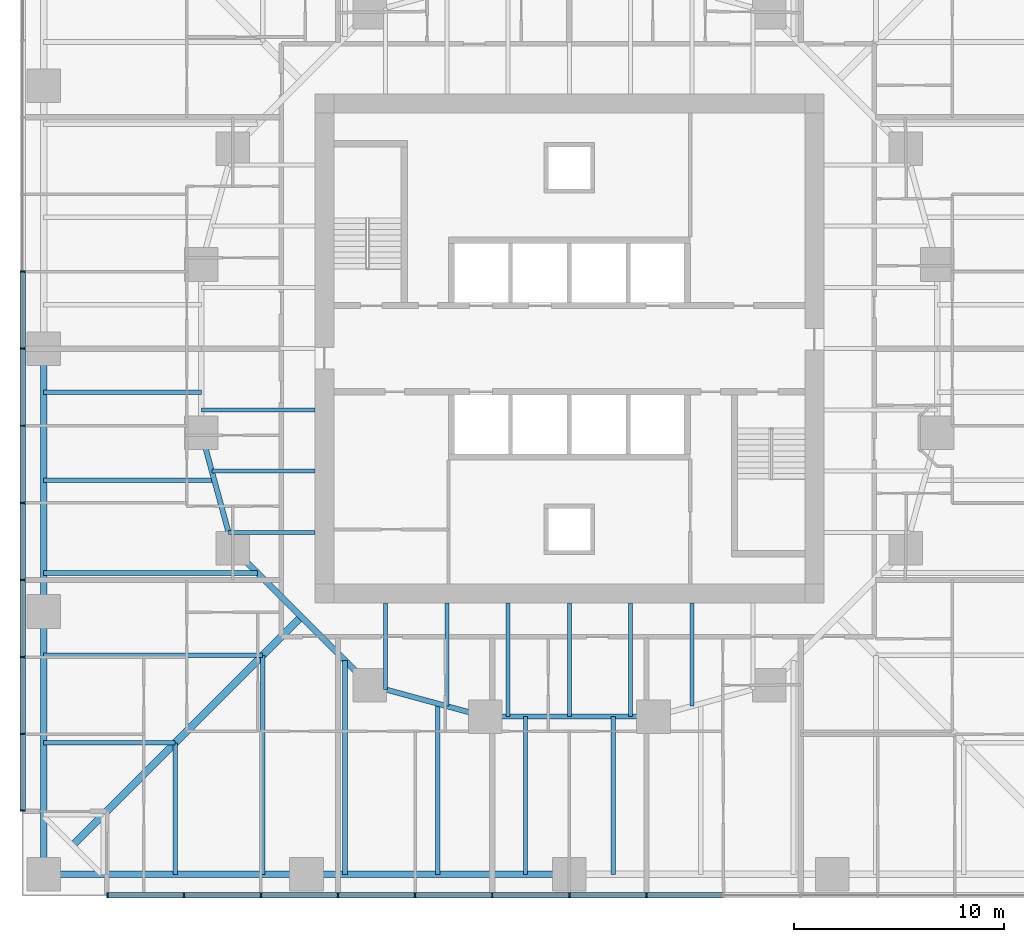
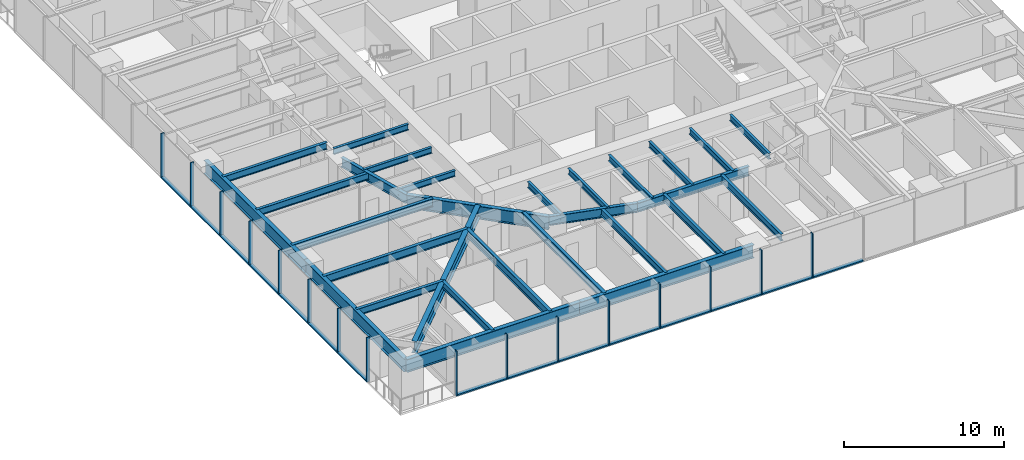
# One storey, part 2 of 16: 31 members, 29 beams, 2 elements without a shape of their own.
"""IFC4 building model written with IfcOpenShell, lengths in metres."""

from ifc_helpers import new_model, si_unit, direction, frame, origin, origin_2d, place, context, subcontext, project, spatial, rectangle, i_section, extrude, material, material_profile, profile_set, type_object, element, aggregate, save


model = new_model("IFC4")

# Units and contexts
model_context = context("Model", 3, precision=1e-05, world=origin(), true_north=direction((0.0, 1.0)))
body_context = subcontext(model_context, "Body", "Model", "MODEL_VIEW")
ifc_project = project(units=[si_unit("LENGTHUNIT", "METRE"), si_unit("AREAUNIT", "SQUARE_METRE"), si_unit("VOLUMEUNIT", "CUBIC_METRE"), si_unit("PLANEANGLEUNIT", "RADIAN"), si_unit("MASSUNIT", "GRAM", prefix="KILO")], contexts=[model_context])

# Site, building, storey
site_placement = place(None, origin())
site = spatial("IfcSite", under=ifc_project, at=site_placement, CompositionType="ELEMENT")
building_placement = place(site_placement, origin())
building = spatial("IfcBuilding", under=site, at=building_placement, Name="Torsade Residences", CompositionType="ELEMENT")
storey_placement = place(building_placement, frame((0.0, 0.0, 35.39990234375)))
storey = spatial("IfcBuildingStorey", under=building, at=storey_placement, Name="L09", CompositionType="ELEMENT", Elevation=35.39990234375)

# Beam
ifc_material_1 = material(Name="Steel grade 300", Category="steel")
ifc_material_profile_1 = material_profile(ifc_material_1, i_section(OverallWidth=0.35009765625, OverallDepth=0.909912109375, WebThickness=0.011962890625, FlangeThickness=0.02490234375, at=origin_2d()), Name="900WB218")
ifc_profile_set_1 = profile_set([ifc_material_profile_1], Name="Steel grade 300")
beam_type_1 = type_object("IfcBeamType", Name="CORNER GIRDER 900WB218", PredefinedType="BEAM", material=ifc_profile_set_1)
beam_1_placement = place(storey_placement, frame((16.375, 6.375, 2.795166015625), z_axis=(0.707106781187, 0.707106781187, 0.0), x_axis=(-0.707106781187, 0.707106781187, 0.0)))
element("IfcBeam", 1, at=beam_1_placement, inside=storey, type_object=beam_type_1, Name="Corner girder 01 L10", PredefinedType="BEAM", context=body_context, shape_type="SweptSolid", body=[
    extrude(i_section(OverallWidth=0.35009765625, OverallDepth=0.909912109375, WebThickness=0.011962890625, FlangeThickness=0.02490234375, at=origin_2d()), origin(), (0.0, 0.0, 1.0), 15.379638671875),
])

# Curtain wall, members
ifc_material_2 = material(Name="Aluminium and glass", Category="aluminium")
curtain_wall_type = type_object("IfcCurtainWallType", Name="FRITTED GLASS CURTAIN WALL LOW ZONE", PredefinedType="NOTDEFINED", material=ifc_material_2)
curtain_wall_1_placement = place(storey_placement, origin())
curtain_wall_1 = element("IfcCurtainWall", 2, at=curtain_wall_1_placement, inside=storey, type_object=curtain_wall_type, Name="Curtain wall L09 face 1", PredefinedType="NOTDEFINED")
ifc_material_3 = material(Name="Aluminium mullion", Category="aluminium")
ifc_material_profile_2 = material_profile(ifc_material_3, rectangle(XDim=0.25, YDim=0.06494140625, at=origin_2d()), Name="CURTAIN WALL MULLION 250x65")
ifc_profile_set_2 = profile_set([ifc_material_profile_2], Name="Aluminium mullion")
member_type_1 = type_object("IfcMemberType", Name="CURTAIN WALL MULLION 250x65", PredefinedType="MULLION", material=ifc_profile_set_2)
member_1_placement = place(storey_placement, frame((18.032470703125, 4.0, 0.0), z_axis=(0.0, 0.0, 1.0), x_axis=(0.0, 1.0, 0.0)))
member_1 = element("IfcMember", 3, at=member_1_placement, type_object=member_type_1, Name="Mullion 1", PredefinedType="MULLION", context=body_context, shape_type="SweptSolid", body=[
    extrude(rectangle(XDim=0.25, YDim=0.06494140625, at=origin_2d()), origin(), (0.0, 0.0, 1.0), 3.400146484375),
])
member_2_placement = place(storey_placement, frame((21.666748046875, 4.0, 0.0), z_axis=(0.0, 0.0, 1.0), x_axis=(0.0, 1.0, 0.0)))
member_2 = element("IfcMember", 4, at=member_2_placement, type_object=member_type_1, Name="Mullion 2", PredefinedType="MULLION", context=body_context, shape_type="SweptSolid", body=[
    extrude(rectangle(XDim=0.25, YDim=0.06494140625, at=origin_2d()), origin(), (0.0, 0.0, 1.0), 3.400146484375),
])
member_3_placement = place(storey_placement, frame((25.333251953125, 4.0, 0.0), z_axis=(0.0, 0.0, 1.0), x_axis=(0.0, 1.0, 0.0)))
member_3 = element("IfcMember", 5, at=member_3_placement, type_object=member_type_1, Name="Mullion 3", PredefinedType="MULLION", context=body_context, shape_type="SweptSolid", body=[
    extrude(rectangle(XDim=0.25, YDim=0.06494140625, at=origin_2d()), origin(), (0.0, 0.0, 1.0), 3.400146484375),
])
member_4_placement = place(storey_placement, frame((29.0, 4.0, 0.0), z_axis=(0.0, 0.0, 1.0), x_axis=(0.0, 1.0, 0.0)))
member_4 = element("IfcMember", 6, at=member_4_placement, type_object=member_type_1, Name="Mullion 4", PredefinedType="MULLION", context=body_context, shape_type="SweptSolid", body=[
    extrude(rectangle(XDim=0.25, YDim=0.06494140625, at=origin_2d()), origin(), (0.0, 0.0, 1.0), 3.400146484375),
])
member_5_placement = place(storey_placement, frame((32.666748046875, 4.0, 0.0), z_axis=(0.0, 0.0, 1.0), x_axis=(0.0, 1.0, 0.0)))
member_5 = element("IfcMember", 7, at=member_5_placement, type_object=member_type_1, Name="Mullion 5", PredefinedType="MULLION", context=body_context, shape_type="SweptSolid", body=[
    extrude(rectangle(XDim=0.25, YDim=0.06494140625, at=origin_2d()), origin(), (0.0, 0.0, 1.0), 3.400146484375),
])
member_6_placement = place(storey_placement, frame((36.333251953125, 4.0, 0.0), z_axis=(0.0, 0.0, 1.0), x_axis=(0.0, 1.0, 0.0)))
member_6 = element("IfcMember", 8, at=member_6_placement, type_object=member_type_1, Name="Mullion 6", PredefinedType="MULLION", context=body_context, shape_type="SweptSolid", body=[
    extrude(rectangle(XDim=0.25, YDim=0.06494140625, at=origin_2d()), origin(), (0.0, 0.0, 1.0), 3.400146484375),
])
member_7_placement = place(storey_placement, frame((40.0, 4.0, 0.0), z_axis=(0.0, 0.0, 1.0), x_axis=(0.0, 1.0, 0.0)))
member_7 = element("IfcMember", 9, at=member_7_placement, type_object=member_type_1, Name="Mullion 7", PredefinedType="MULLION", context=body_context, shape_type="SweptSolid", body=[
    extrude(rectangle(XDim=0.25, YDim=0.06494140625, at=origin_2d()), origin(), (0.0, 0.0, 1.0), 3.400146484375),
])
member_8_placement = place(storey_placement, frame((43.666748046875, 4.0, 0.0), z_axis=(0.0, 0.0, 1.0), x_axis=(0.0, 1.0, 0.0)))
member_8 = element("IfcMember", 10, at=member_8_placement, type_object=member_type_1, Name="Mullion 8", PredefinedType="MULLION", context=body_context, shape_type="SweptSolid", body=[
    extrude(rectangle(XDim=0.25, YDim=0.06494140625, at=origin_2d()), origin(), (0.0, 0.0, 1.0), 3.400146484375),
])

curtain_wall_2_placement = place(storey_placement, origin())
curtain_wall_2 = element("IfcCurtainWall", 11, at=curtain_wall_2_placement, inside=storey, type_object=curtain_wall_type, Name="Curtain wall L09 face 10", PredefinedType="NOTDEFINED")
member_9_placement = place(storey_placement, frame((14.0, 33.666748046875, 0.0), z_axis=(0.0, 0.0, 1.0), x_axis=(1.0, 0.0, 0.0)))
member_9 = element("IfcMember", 12, at=member_9_placement, type_object=member_type_1, Name="Mullion 6", PredefinedType="MULLION", context=body_context, shape_type="SweptSolid", body=[
    extrude(rectangle(XDim=0.25, YDim=0.06494140625, at=origin_2d()), origin(), (0.0, 0.0, 1.0), 3.400146484375),
])
member_10_placement = place(storey_placement, frame((14.0, 30.0, 0.0), z_axis=(0.0, 0.0, 1.0), x_axis=(1.0, 0.0, 0.0)))
member_10 = element("IfcMember", 13, at=member_10_placement, type_object=member_type_1, Name="Mullion 7", PredefinedType="MULLION", context=body_context, shape_type="SweptSolid", body=[
    extrude(rectangle(XDim=0.25, YDim=0.06494140625, at=origin_2d()), origin(), (0.0, 0.0, 1.0), 3.400146484375),
])
member_11_placement = place(storey_placement, frame((14.0, 26.333251953125, 0.0), z_axis=(0.0, 0.0, 1.0), x_axis=(1.0, 0.0, 0.0)))
member_11 = element("IfcMember", 14, at=member_11_placement, type_object=member_type_1, Name="Mullion 8", PredefinedType="MULLION", context=body_context, shape_type="SweptSolid", body=[
    extrude(rectangle(XDim=0.25, YDim=0.06494140625, at=origin_2d()), origin(), (0.0, 0.0, 1.0), 3.400146484375),
])
member_12_placement = place(storey_placement, frame((14.0, 22.666748046875, 0.0), z_axis=(0.0, 0.0, 1.0), x_axis=(1.0, 0.0, 0.0)))
member_12 = element("IfcMember", 15, at=member_12_placement, type_object=member_type_1, Name="Mullion 9", PredefinedType="MULLION", context=body_context, shape_type="SweptSolid", body=[
    extrude(rectangle(XDim=0.25, YDim=0.06494140625, at=origin_2d()), origin(), (0.0, 0.0, 1.0), 3.400146484375),
])
member_13_placement = place(storey_placement, frame((14.0, 19.0, 0.0), z_axis=(0.0, 0.0, 1.0), x_axis=(1.0, 0.0, 0.0)))
member_13 = element("IfcMember", 16, at=member_13_placement, type_object=member_type_1, Name="Mullion 10", PredefinedType="MULLION", context=body_context, shape_type="SweptSolid", body=[
    extrude(rectangle(XDim=0.25, YDim=0.06494140625, at=origin_2d()), origin(), (0.0, 0.0, 1.0), 3.400146484375),
])
member_14_placement = place(storey_placement, frame((14.0, 15.333251953125, 0.0), z_axis=(0.0, 0.0, 1.0), x_axis=(1.0, 0.0, 0.0)))
member_14 = element("IfcMember", 17, at=member_14_placement, type_object=member_type_1, Name="Mullion 11", PredefinedType="MULLION", context=body_context, shape_type="SweptSolid", body=[
    extrude(rectangle(XDim=0.25, YDim=0.06494140625, at=origin_2d()), origin(), (0.0, 0.0, 1.0), 3.400146484375),
])
member_15_placement = place(storey_placement, frame((14.0, 11.666748046875, 0.0), z_axis=(0.0, 0.0, 1.0), x_axis=(1.0, 0.0, 0.0)))
member_15 = element("IfcMember", 18, at=member_15_placement, type_object=member_type_1, Name="Mullion 12", PredefinedType="MULLION", context=body_context, shape_type="SweptSolid", body=[
    extrude(rectangle(XDim=0.25, YDim=0.06494140625, at=origin_2d()), origin(), (0.0, 0.0, 1.0), 3.400146484375),
])
member_16_placement = place(storey_placement, frame((14.0, 8.032470703125, 0.0), z_axis=(0.0, 0.0, 1.0), x_axis=(1.0, 0.0, 0.0)))
member_16 = element("IfcMember", 19, at=member_16_placement, type_object=member_type_1, Name="Mullion 13", PredefinedType="MULLION", context=body_context, shape_type="SweptSolid", body=[
    extrude(rectangle(XDim=0.25, YDim=0.06494140625, at=origin_2d()), origin(), (0.0, 0.0, 1.0), 3.400146484375),
])

# Member
ifc_material_4 = material(Name="Aluminium transom", Category="aluminium")
ifc_material_profile_3 = material_profile(ifc_material_4, rectangle(XDim=0.25, YDim=0.10009765625, at=origin_2d()), Name="CURTAIN WALL TRANSOM 250x100")
ifc_profile_set_3 = profile_set([ifc_material_profile_3], Name="Aluminium transom")
member_type_2 = type_object("IfcMemberType", Name="CURTAIN WALL TRANSOM 250x100", PredefinedType="USERDEFINED", material=ifc_profile_set_3)
member_17_placement = place(storey_placement, frame((18.06494140625, 4.0, 0.050048828125), z_axis=(1.0, 0.0, 0.0), x_axis=(0.0, 1.0, 0.0)))
member_17 = element("IfcMember", 20, at=member_17_placement, type_object=member_type_2, Name="Transom 1.1", ObjectType="TRANSOM", PredefinedType="USERDEFINED", context=body_context, shape_type="SweptSolid", body=[
    extrude(rectangle(XDim=0.25, YDim=0.10009765625, at=origin_2d()), origin(), (0.0, 0.0, 1.0), 3.5693359375),
])

member_18_placement = place(storey_placement, frame((21.69921875, 4.0, 0.050048828125), z_axis=(1.0, 0.0, 0.0), x_axis=(0.0, 1.0, 0.0)))
member_18 = element("IfcMember", 21, at=member_18_placement, type_object=member_type_2, Name="Transom 2.1", ObjectType="TRANSOM", PredefinedType="USERDEFINED", context=body_context, shape_type="SweptSolid", body=[
    extrude(rectangle(XDim=0.25, YDim=0.10009765625, at=origin_2d()), origin(), (0.0, 0.0, 1.0), 3.6015625),
])

member_19_placement = place(storey_placement, frame((25.36572265625, 4.0, 0.050048828125), z_axis=(1.0, 0.0, 0.0), x_axis=(0.0, 1.0, 0.0)))
member_19 = element("IfcMember", 22, at=member_19_placement, type_object=member_type_2, Name="Transom 3.1", ObjectType="TRANSOM", PredefinedType="USERDEFINED", context=body_context, shape_type="SweptSolid", body=[
    extrude(rectangle(XDim=0.25, YDim=0.10009765625, at=origin_2d()), origin(), (0.0, 0.0, 1.0), 3.601806640625),
])

member_20_placement = place(storey_placement, frame((29.032470703125, 4.0, 0.050048828125), z_axis=(1.0, 0.0, 0.0), x_axis=(0.0, 1.0, 0.0)))
member_20 = element("IfcMember", 23, at=member_20_placement, type_object=member_type_2, Name="Transom 4.1", ObjectType="TRANSOM", PredefinedType="USERDEFINED", context=body_context, shape_type="SweptSolid", body=[
    extrude(rectangle(XDim=0.25, YDim=0.10009765625, at=origin_2d()), origin(), (0.0, 0.0, 1.0), 3.601806640625),
])

member_21_placement = place(storey_placement, frame((32.69921875, 4.0, 0.050048828125), z_axis=(1.0, 0.0, 0.0), x_axis=(0.0, 1.0, 0.0)))
member_21 = element("IfcMember", 24, at=member_21_placement, type_object=member_type_2, Name="Transom 5.1", ObjectType="TRANSOM", PredefinedType="USERDEFINED", context=body_context, shape_type="SweptSolid", body=[
    extrude(rectangle(XDim=0.25, YDim=0.10009765625, at=origin_2d()), origin(), (0.0, 0.0, 1.0), 3.6015625),
])

member_22_placement = place(storey_placement, frame((36.36572265625, 4.0, 0.050048828125), z_axis=(1.0, 0.0, 0.0), x_axis=(0.0, 1.0, 0.0)))
member_22 = element("IfcMember", 25, at=member_22_placement, type_object=member_type_2, Name="Transom 6.1", ObjectType="TRANSOM", PredefinedType="USERDEFINED", context=body_context, shape_type="SweptSolid", body=[
    extrude(rectangle(XDim=0.25, YDim=0.10009765625, at=origin_2d()), origin(), (0.0, 0.0, 1.0), 3.601806640625),
])

member_23_placement = place(storey_placement, frame((40.032470703125, 4.0, 0.050048828125), z_axis=(1.0, 0.0, 0.0), x_axis=(0.0, 1.0, 0.0)))
member_23 = element("IfcMember", 26, at=member_23_placement, type_object=member_type_2, Name="Transom 7.1", ObjectType="TRANSOM", PredefinedType="USERDEFINED", context=body_context, shape_type="SweptSolid", body=[
    extrude(rectangle(XDim=0.25, YDim=0.10009765625, at=origin_2d()), origin(), (0.0, 0.0, 1.0), 3.601806640625),
])

member_24_placement = place(storey_placement, frame((43.69921875, 4.0, 0.050048828125), z_axis=(1.0, 0.0, 0.0), x_axis=(0.0, 1.0, 0.0)))
member_24 = element("IfcMember", 27, at=member_24_placement, type_object=member_type_2, Name="Transom 8.1", ObjectType="TRANSOM", PredefinedType="USERDEFINED", context=body_context, shape_type="SweptSolid", body=[
    extrude(rectangle(XDim=0.25, YDim=0.10009765625, at=origin_2d()), origin(), (0.0, 0.0, 1.0), 3.6015625),
])

aggregate(curtain_wall_1, [member_1, member_2, member_3, member_4, member_5, member_6, member_7, member_8, member_17, member_18, member_19, member_20, member_21, member_22, member_23, member_24])

member_25_placement = place(storey_placement, frame((14.0, 33.63427734375, 0.050048828125), z_axis=(0.0, -1.0, 0.0), x_axis=(1.0, 0.0, 0.0)))
member_25 = element("IfcMember", 28, at=member_25_placement, type_object=member_type_2, Name="Transom 6.1", ObjectType="TRANSOM", PredefinedType="USERDEFINED", context=body_context, shape_type="SweptSolid", body=[
    extrude(rectangle(XDim=0.25, YDim=0.10009765625, at=origin_2d()), origin(), (0.0, 0.0, 1.0), 3.601806640625),
])

member_26_placement = place(storey_placement, frame((14.0, 29.967529296875, 0.050048828125), z_axis=(0.0, -1.0, 0.0), x_axis=(1.0, 0.0, 0.0)))
member_26 = element("IfcMember", 29, at=member_26_placement, type_object=member_type_2, Name="Transom 7.1", ObjectType="TRANSOM", PredefinedType="USERDEFINED", context=body_context, shape_type="SweptSolid", body=[
    extrude(rectangle(XDim=0.25, YDim=0.10009765625, at=origin_2d()), origin(), (0.0, 0.0, 1.0), 3.601806640625),
])

member_27_placement = place(storey_placement, frame((14.0, 26.30078125, 0.050048828125), z_axis=(0.0, -1.0, 0.0), x_axis=(1.0, 0.0, 0.0)))
member_27 = element("IfcMember", 30, at=member_27_placement, type_object=member_type_2, Name="Transom 8.1", ObjectType="TRANSOM", PredefinedType="USERDEFINED", context=body_context, shape_type="SweptSolid", body=[
    extrude(rectangle(XDim=0.25, YDim=0.10009765625, at=origin_2d()), origin(), (0.0, 0.0, 1.0), 3.6015625),
])

member_28_placement = place(storey_placement, frame((14.0, 22.63427734375, 0.050048828125), z_axis=(0.0, -1.0, 0.0), x_axis=(1.0, 0.0, 0.0)))
member_28 = element("IfcMember", 31, at=member_28_placement, type_object=member_type_2, Name="Transom 9.1", ObjectType="TRANSOM", PredefinedType="USERDEFINED", context=body_context, shape_type="SweptSolid", body=[
    extrude(rectangle(XDim=0.25, YDim=0.10009765625, at=origin_2d()), origin(), (0.0, 0.0, 1.0), 3.601806640625),
])

member_29_placement = place(storey_placement, frame((14.0, 18.967529296875, 0.050048828125), z_axis=(0.0, -1.0, 0.0), x_axis=(1.0, 0.0, 0.0)))
member_29 = element("IfcMember", 32, at=member_29_placement, type_object=member_type_2, Name="Transom 10.1", ObjectType="TRANSOM", PredefinedType="USERDEFINED", context=body_context, shape_type="SweptSolid", body=[
    extrude(rectangle(XDim=0.25, YDim=0.10009765625, at=origin_2d()), origin(), (0.0, 0.0, 1.0), 3.601806640625),
])

member_30_placement = place(storey_placement, frame((14.0, 15.30078125, 0.050048828125), z_axis=(0.0, -1.0, 0.0), x_axis=(1.0, 0.0, 0.0)))
member_30 = element("IfcMember", 33, at=member_30_placement, type_object=member_type_2, Name="Transom 11.1", ObjectType="TRANSOM", PredefinedType="USERDEFINED", context=body_context, shape_type="SweptSolid", body=[
    extrude(rectangle(XDim=0.25, YDim=0.10009765625, at=origin_2d()), origin(), (0.0, 0.0, 1.0), 3.6015625),
])

member_31_placement = place(storey_placement, frame((14.0, 11.63427734375, 0.050048828125), z_axis=(0.0, -1.0, 0.0), x_axis=(1.0, 0.0, 0.0)))
member_31 = element("IfcMember", 34, at=member_31_placement, type_object=member_type_2, Name="Transom 12.1", ObjectType="TRANSOM", PredefinedType="USERDEFINED", context=body_context, shape_type="SweptSolid", body=[
    extrude(rectangle(XDim=0.25, YDim=0.10009765625, at=origin_2d()), origin(), (0.0, 0.0, 1.0), 3.5693359375),
])

aggregate(curtain_wall_2, [member_9, member_10, member_11, member_12, member_13, member_14, member_15, member_16, member_25, member_26, member_27, member_28, member_29, member_30, member_31])

# Beams
ifc_material_5 = material(Name="Steel grade 300", Category="steel")
ifc_material_profile_4 = material_profile(ifc_material_5, i_section(OverallWidth=0.300048828125, OverallDepth=1.0, WebThickness=0.01611328125, FlangeThickness=0.028076171875, at=origin_2d()), Name="1000WB215")
ifc_profile_set_4 = profile_set([ifc_material_profile_4], Name="Steel grade 300")
beam_type_2 = type_object("IfcBeamType", Name="EDGE BEAM 1000WB215", PredefinedType="SPANDREL", material=ifc_profile_set_4)
for number, where, z_axis, x_axis, name in (
    (35, (15.0, 5.0, 2.75), (1.0, 0.0, 0.0), (0.0, 1.0, 0.0), "Edge beam 01 L10"),
    (36, (27.5, 5.0, 2.75), (1.0, 0.0, 0.0), (0.0, 1.0, 0.0), "Edge beam 02 L10"),
    (37, (15.0, 30.0, 2.75), (0.0, -1.0, 0.0), (1.0, 0.0, 0.0), "Edge beam 15 L10"),
    (38, (15.0, 17.5, 2.75), (0.0, -1.0, 0.0), (1.0, 0.0, 0.0), "Edge beam 16 L10"),
):
    element("IfcBeam", number, at=place(storey_placement, frame(where, z_axis=z_axis, x_axis=x_axis)), inside=storey, type_object=beam_type_2, Name=name, PredefinedType="SPANDREL", context=body_context, shape_type="SweptSolid", body=[
        extrude(i_section(OverallWidth=0.300048828125, OverallDepth=1.0, WebThickness=0.01611328125, FlangeThickness=0.028076171875, at=origin_2d()), origin(), (0.0, 0.0, 1.0), 12.5),
    ])
ifc_material_6 = material(Name="Steel grade 300", Category="steel")
ifc_material_profile_5 = material_profile(ifc_material_6, i_section(OverallWidth=0.18994140625, OverallDepth=0.4541015625, WebThickness=0.008544921875, FlangeThickness=0.0126953125, FilletRadius=0.011474609375, at=origin_2d()), Name="460UB67.1")
ifc_profile_set_5 = profile_set([ifc_material_profile_5], Name="Steel grade 300")
beam_type_3 = type_object("IfcBeamType", Name="INNER FLOOR BEAM 460UB67.1", PredefinedType="JOIST", material=ifc_profile_set_5)
beam_2_placement = place(storey_placement, frame((45.824951171875, 17.89990234375, 3.023193359375), z_axis=(0.0, -1.0, 0.0), x_axis=(1.0, 0.0, 0.0)))
element("IfcBeam", 39, at=beam_2_placement, inside=storey, type_object=beam_type_3, Name="Inner floor beam IS02 L10", PredefinedType="JOIST", context=body_context, shape_type="SweptSolid", body=[
    extrude(i_section(OverallWidth=0.18994140625, OverallDepth=0.4541015625, WebThickness=0.008544921875, FlangeThickness=0.0126953125, FilletRadius=0.011474609375, at=origin_2d()), origin(), (0.0, 0.0, 1.0), 4.902099609375),
])
for number, where, z_axis, x_axis, name in (
    (40, (42.91259765625, 17.89990234375, 3.023193359375), (0.0, -1.0, 0.0), (1.0, 0.0, 0.0), "Inner floor beam IS03 L10"),
    (41, (40.0, 17.89990234375, 3.023193359375), (0.0, -1.0, 0.0), (1.0, 0.0, 0.0), "Inner floor beam IS04 L10"),
    (42, (37.08740234375, 17.89990234375, 3.023193359375), (0.0, -1.0, 0.0), (1.0, 0.0, 0.0), "Inner floor beam IS05 L10"),
):
    element("IfcBeam", number, at=place(storey_placement, frame(where, z_axis=z_axis, x_axis=x_axis)), inside=storey, type_object=beam_type_3, Name=name, PredefinedType="JOIST", context=body_context, shape_type="SweptSolid", body=[
        extrude(i_section(OverallWidth=0.18994140625, OverallDepth=0.4541015625, WebThickness=0.008544921875, FlangeThickness=0.0126953125, FilletRadius=0.011474609375, at=origin_2d()), origin(), (0.0, 0.0, 1.0), 5.39990234375),
    ])
beam_3_placement = place(storey_placement, frame((34.175048828125, 17.89990234375, 3.023193359375), z_axis=(0.0, -1.0, 0.0), x_axis=(1.0, 0.0, 0.0)))
element("IfcBeam", 43, at=beam_3_placement, inside=storey, type_object=beam_type_3, Name="Inner floor beam IS06 L10", PredefinedType="JOIST", context=body_context, shape_type="SweptSolid", body=[
    extrude(i_section(OverallWidth=0.18994140625, OverallDepth=0.4541015625, WebThickness=0.008544921875, FlangeThickness=0.0126953125, FilletRadius=0.011474609375, at=origin_2d()), origin(), (0.0, 0.0, 1.0), 4.902099609375),
])
beam_4_placement = place(storey_placement, frame((31.262451171875, 17.89990234375, 3.023193359375), z_axis=(0.0, -1.0, 0.0), x_axis=(1.0, 0.0, 0.0)))
element("IfcBeam", 44, at=beam_4_placement, inside=storey, type_object=beam_type_3, Name="Inner floor beam IS07 L10", PredefinedType="JOIST", context=body_context, shape_type="SweptSolid", body=[
    extrude(i_section(OverallWidth=0.18994140625, OverallDepth=0.4541015625, WebThickness=0.008544921875, FlangeThickness=0.0126953125, FilletRadius=0.011474609375, at=origin_2d()), origin(), (0.0, 0.0, 1.0), 4.10791015625),
])
beam_5_placement = place(storey_placement, frame((27.89990234375, 27.08740234375, 3.023193359375), z_axis=(-1.0, 0.0, 0.0), x_axis=(0.0, -1.0, 0.0)))
element("IfcBeam", 45, at=beam_5_placement, inside=storey, type_object=beam_type_3, Name="Inner floor beam IW05 L10", PredefinedType="JOIST", context=body_context, shape_type="SweptSolid", body=[
    extrude(i_section(OverallWidth=0.18994140625, OverallDepth=0.4541015625, WebThickness=0.008544921875, FlangeThickness=0.0126953125, FilletRadius=0.011474609375, at=origin_2d()), origin(), (0.0, 0.0, 1.0), 5.39990234375),
])
beam_6_placement = place(storey_placement, frame((27.89990234375, 24.175048828125, 3.023193359375), z_axis=(-1.0, 0.0, 0.0), x_axis=(0.0, -1.0, 0.0)))
element("IfcBeam", 46, at=beam_6_placement, inside=storey, type_object=beam_type_3, Name="Inner floor beam IW06 L10", PredefinedType="JOIST", context=body_context, shape_type="SweptSolid", body=[
    extrude(i_section(OverallWidth=0.18994140625, OverallDepth=0.4541015625, WebThickness=0.008544921875, FlangeThickness=0.0126953125, FilletRadius=0.011474609375, at=origin_2d()), origin(), (0.0, 0.0, 1.0), 4.902099609375),
])
beam_7_placement = place(storey_placement, frame((27.89990234375, 21.262451171875, 3.023193359375), z_axis=(-1.0, 0.0, 0.0), x_axis=(0.0, -1.0, 0.0)))
element("IfcBeam", 47, at=beam_7_placement, inside=storey, type_object=beam_type_3, Name="Inner floor beam IW07 L10", PredefinedType="JOIST", context=body_context, shape_type="SweptSolid", body=[
    extrude(i_section(OverallWidth=0.18994140625, OverallDepth=0.4541015625, WebThickness=0.008544921875, FlangeThickness=0.0126953125, FilletRadius=0.011474609375, at=origin_2d()), origin(), (0.0, 0.0, 1.0), 4.10791015625),
])
ifc_material_7 = material(Name="Steel grade 300", Category="steel")
ifc_material_profile_6 = material_profile(ifc_material_7, i_section(OverallWidth=0.300048828125, OverallDepth=1.0, WebThickness=0.01611328125, FlangeThickness=0.028076171875, at=origin_2d()), Name="1000WB215")
ifc_profile_set_6 = profile_set([ifc_material_profile_6], Name="Steel grade 300")
beam_type_4 = type_object("IfcBeamType", Name="RING CORNER GIRDER 1000WB215", PredefinedType="BEAM", material=ifc_profile_set_6)
beam_8_placement = place(storey_placement, frame((24.0, 20.5, 2.75), z_axis=(0.707106781187, -0.707106781187, 0.0), x_axis=(0.707106781187, 0.707106781187, 0.0)))
element("IfcBeam", 48, at=beam_8_placement, inside=storey, type_object=beam_type_4, Name="Ring girder IR11 L10", PredefinedType="BEAM", context=body_context, shape_type="SweptSolid", body=[
    extrude(i_section(OverallWidth=0.300048828125, OverallDepth=1.0, WebThickness=0.01611328125, FlangeThickness=0.028076171875, at=origin_2d()), origin(), (0.0, 0.0, 1.0), 9.1923828125),
])
ifc_material_8 = material(Name="Steel grade 300", Category="steel")
ifc_material_profile_7 = material_profile(ifc_material_8, i_section(OverallWidth=0.25, OverallDepth=0.699951171875, WebThickness=0.010009765625, FlangeThickness=0.02001953125, at=origin_2d()), Name="700WB130")
ifc_profile_set_7 = profile_set([ifc_material_profile_7], Name="Steel grade 300")
beam_type_5 = type_object("IfcBeamType", Name="RING GIRDER 700WB130", PredefinedType="BEAM", material=ifc_profile_set_7)
for number, where, z_axis, x_axis, name in (
    (49, (22.5, 26.0, 2.900146484375), (0.263117405792, -0.964763821238, 0.0), (0.964763821238, 0.263117405792, 0.0), "Ring girder IR10 L10"),
    (50, (30.5, 14.0, 2.900146484375), (0.964763821238, -0.263117405792, 0.0), (0.263117405792, 0.964763821238, 0.0), "Ring girder IR12 L10"),
):
    element("IfcBeam", number, at=place(storey_placement, frame(where, z_axis=z_axis, x_axis=x_axis)), inside=storey, type_object=beam_type_5, Name=name, PredefinedType="BEAM", context=body_context, shape_type="SweptSolid", body=[
        extrude(i_section(OverallWidth=0.25, OverallDepth=0.699951171875, WebThickness=0.010009765625, FlangeThickness=0.02001953125, at=origin_2d()), origin(), (0.0, 0.0, 1.0), 5.700927734375),
    ])
beam_9_placement = place(storey_placement, frame((36.0, 12.5, 2.900146484375), z_axis=(1.0, 0.0, 0.0), x_axis=(0.0, 1.0, 0.0)))
element("IfcBeam", 51, at=beam_9_placement, inside=storey, type_object=beam_type_5, Name="Ring girder IR13 L10", PredefinedType="BEAM", context=body_context, shape_type="SweptSolid", body=[
    extrude(i_section(OverallWidth=0.25, OverallDepth=0.699951171875, WebThickness=0.010009765625, FlangeThickness=0.02001953125, at=origin_2d()), origin(), (0.0, 0.0, 1.0), 8.0),
])
ifc_material_9 = material(Name="Steel grade 300", Category="steel")
ifc_material_profile_8 = material_profile(ifc_material_9, i_section(OverallWidth=0.208984375, OverallDepth=0.528076171875, WebThickness=0.009521484375, FlangeThickness=0.01318359375, FilletRadius=0.013916015625, at=origin_2d()), Name="530UB82.0")
ifc_profile_set_8 = profile_set([ifc_material_profile_8], Name="Steel grade 300")
beam_type_6 = type_object("IfcBeamType", Name="SECONDARY BEAM 530UB82.0", PredefinedType="JOIST", material=ifc_profile_set_8)
beam_10_placement = place(storey_placement, frame((21.25, 5.0, 2.986083984375), z_axis=(0.0, 1.0, 0.0), x_axis=(-1.0, 0.0, 0.0)))
element("IfcBeam", 52, at=beam_10_placement, inside=storey, type_object=beam_type_6, Name="Floor beam FS02 L10", PredefinedType="JOIST", context=body_context, shape_type="SweptSolid", body=[
    extrude(i_section(OverallWidth=0.208984375, OverallDepth=0.528076171875, WebThickness=0.009521484375, FlangeThickness=0.01318359375, FilletRadius=0.013916015625, at=origin_2d()), origin(), (0.0, 0.0, 1.0), 6.25),
])
beam_11_placement = place(storey_placement, frame((33.75, 5.0, 2.986083984375), z_axis=(0.0, 1.0, 0.0), x_axis=(-1.0, 0.0, 0.0)))
element("IfcBeam", 53, at=beam_11_placement, inside=storey, type_object=beam_type_6, Name="Floor beam FS05 L10", PredefinedType="JOIST", context=body_context, shape_type="SweptSolid", body=[
    extrude(i_section(OverallWidth=0.208984375, OverallDepth=0.528076171875, WebThickness=0.009521484375, FlangeThickness=0.01318359375, FilletRadius=0.013916015625, at=origin_2d()), origin(), (0.0, 0.0, 1.0), 8.113525390625),
])
for number, where, z_axis, x_axis, name in (
    (54, (37.916748046875, 5.0, 2.986083984375), (0.0, 1.0, 0.0), (-1.0, 0.0, 0.0), "Floor beam FS06 L10"),
    (55, (42.083251953125, 5.0, 2.986083984375), (0.0, 1.0, 0.0), (-1.0, 0.0, 0.0), "Floor beam FS07 L10"),
    (56, (15.0, 27.916748046875, 2.986083984375), (1.0, 0.0, 0.0), (0.0, 1.0, 0.0), "Floor beam FW07 L10"),
):
    element("IfcBeam", number, at=place(storey_placement, frame(where, z_axis=z_axis, x_axis=x_axis)), inside=storey, type_object=beam_type_6, Name=name, PredefinedType="JOIST", context=body_context, shape_type="SweptSolid", body=[
        extrude(i_section(OverallWidth=0.208984375, OverallDepth=0.528076171875, WebThickness=0.009521484375, FlangeThickness=0.01318359375, FilletRadius=0.013916015625, at=origin_2d()), origin(), (0.0, 0.0, 1.0), 7.5),
    ])
beam_12_placement = place(storey_placement, frame((15.0, 23.75, 2.986083984375), z_axis=(1.0, 0.0, 0.0), x_axis=(0.0, 1.0, 0.0)))
element("IfcBeam", 57, at=beam_12_placement, inside=storey, type_object=beam_type_6, Name="Floor beam FW08 L10", PredefinedType="JOIST", context=body_context, shape_type="SweptSolid", body=[
    extrude(i_section(OverallWidth=0.208984375, OverallDepth=0.528076171875, WebThickness=0.009521484375, FlangeThickness=0.01318359375, FilletRadius=0.013916015625, at=origin_2d()), origin(), (0.0, 0.0, 1.0), 8.113525390625),
])
beam_13_placement = place(storey_placement, frame((15.0, 11.25, 2.986083984375), z_axis=(1.0, 0.0, 0.0), x_axis=(0.0, 1.0, 0.0)))
element("IfcBeam", 58, at=beam_13_placement, inside=storey, type_object=beam_type_6, Name="Floor beam FW11 L10", PredefinedType="JOIST", context=body_context, shape_type="SweptSolid", body=[
    extrude(i_section(OverallWidth=0.208984375, OverallDepth=0.528076171875, WebThickness=0.009521484375, FlangeThickness=0.01318359375, FilletRadius=0.013916015625, at=origin_2d()), origin(), (0.0, 0.0, 1.0), 6.25),
])
ifc_material_10 = material(Name="Steel grade 300", Category="steel")
ifc_material_profile_9 = material_profile(ifc_material_10, i_section(OverallWidth=0.22900390625, OverallDepth=0.612060546875, WebThickness=0.011962890625, FlangeThickness=0.01953125, FilletRadius=0.013916015625, at=origin_2d()), Name="610UB125")
ifc_profile_set_9 = profile_set([ifc_material_profile_9], Name="Steel grade 300")
beam_type_7 = type_object("IfcBeamType", Name="SECONDARY BEAM 610UB125", PredefinedType="JOIST", material=ifc_profile_set_9)
beam_14_placement = place(storey_placement, frame((25.416748046875, 5.0, 2.944091796875), z_axis=(0.0, 1.0, 0.0), x_axis=(-1.0, 0.0, 0.0)))
element("IfcBeam", 59, at=beam_14_placement, inside=storey, type_object=beam_type_7, Name="Floor beam FS03 L10", PredefinedType="JOIST", context=body_context, shape_type="SweptSolid", body=[
    extrude(i_section(OverallWidth=0.22900390625, OverallDepth=0.612060546875, WebThickness=0.011962890625, FlangeThickness=0.01953125, FilletRadius=0.013916015625, at=origin_2d()), origin(), (0.0, 0.0, 1.0), 10.416748046875),
])
for number, where, z_axis, x_axis, name in (
    (60, (29.333251953125, 5.0, 2.944091796875), (0.0, 1.0, 0.0), (-1.0, 0.0, 0.0), "Floor beam FS04 L10"),
    (61, (15.0, 19.333251953125, 2.944091796875), (1.0, 0.0, 0.0), (0.0, 1.0, 0.0), "Floor beam FW09 L10"),
):
    element("IfcBeam", number, at=place(storey_placement, frame(where, z_axis=z_axis, x_axis=x_axis)), inside=storey, type_object=beam_type_7, Name=name, PredefinedType="JOIST", context=body_context, shape_type="SweptSolid", body=[
        extrude(i_section(OverallWidth=0.22900390625, OverallDepth=0.612060546875, WebThickness=0.011962890625, FlangeThickness=0.01953125, FilletRadius=0.013916015625, at=origin_2d()), origin(), (0.0, 0.0, 1.0), 10.166748046875),
    ])
beam_15_placement = place(storey_placement, frame((15.0, 15.416748046875, 2.944091796875), z_axis=(1.0, 0.0, 0.0), x_axis=(0.0, 1.0, 0.0)))
element("IfcBeam", 62, at=beam_15_placement, inside=storey, type_object=beam_type_7, Name="Floor beam FW10 L10", PredefinedType="JOIST", context=body_context, shape_type="SweptSolid", body=[
    extrude(i_section(OverallWidth=0.22900390625, OverallDepth=0.612060546875, WebThickness=0.011962890625, FlangeThickness=0.01953125, FilletRadius=0.013916015625, at=origin_2d()), origin(), (0.0, 0.0, 1.0), 10.416748046875),
])

save(model, "model.ifc")
